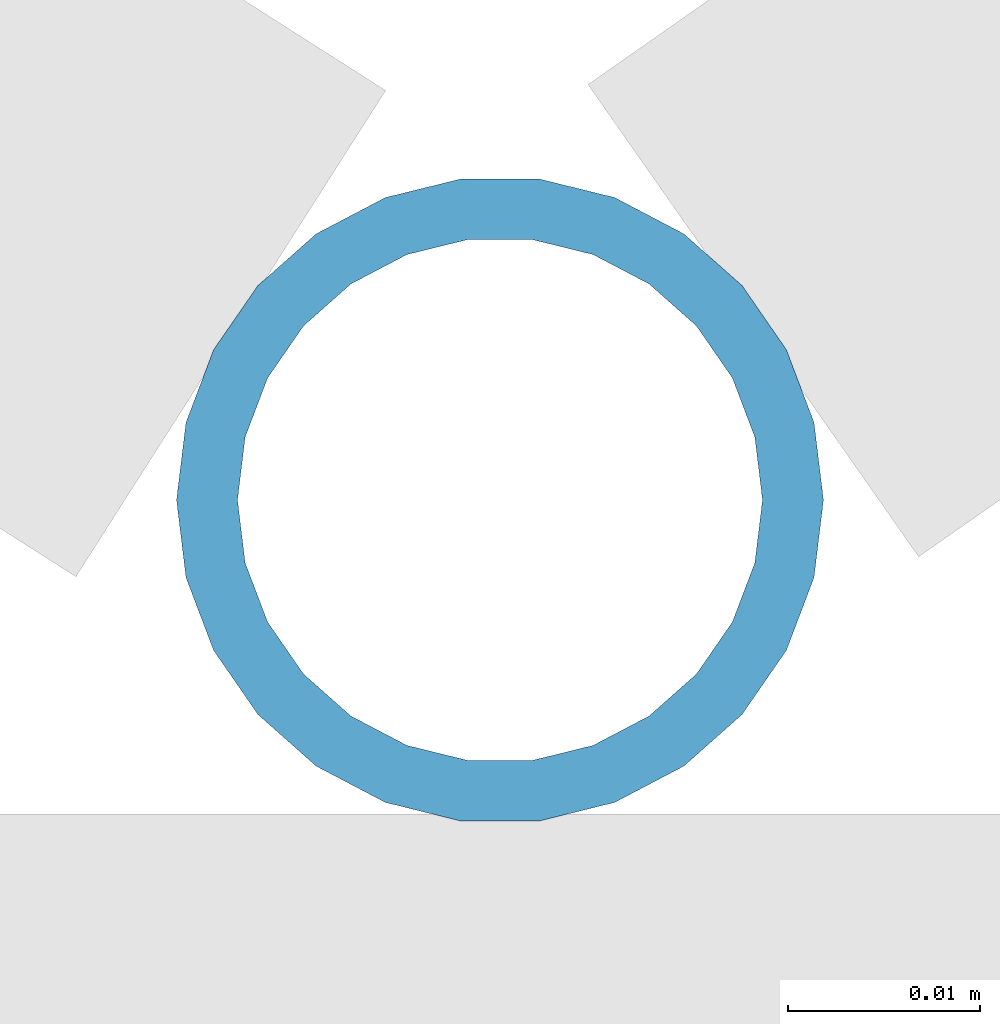
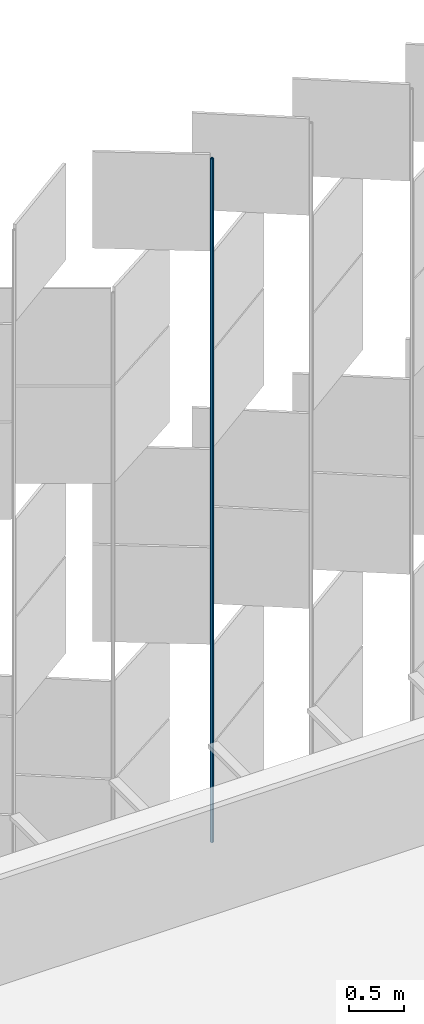
# One storey, part 385 of 483: 1 discrete accessory.
"""IFC4 building model written with IfcOpenShell, lengths in metres."""

from ifc_helpers import new_model, si_unit, direction, frame, origin, origin_2d, place, context, subcontext, project, spatial, hollow_circle, extrude, material, material_profile, profile_set, type_object, element, save


model = new_model("IFC4")

# Units and contexts
model_context = context("Model", 3, precision=1e-05, world=origin(), true_north=direction((0.0, 1.0)))
body_context = subcontext(model_context, "Body", "Model", "MODEL_VIEW")
ifc_project = project(units=[si_unit("LENGTHUNIT", "METRE"), si_unit("AREAUNIT", "SQUARE_METRE"), si_unit("VOLUMEUNIT", "CUBIC_METRE"), si_unit("PLANEANGLEUNIT", "RADIAN"), si_unit("MASSUNIT", "GRAM", prefix="KILO")], contexts=[model_context])

# Site, building, storey
site_placement = place(None, origin())
site = spatial("IfcSite", under=ifc_project, at=site_placement, CompositionType="ELEMENT")
building_placement = place(site_placement, origin())
building = spatial("IfcBuilding", under=site, at=building_placement, Name="Parallax Yard Mobility Hub", CompositionType="ELEMENT")
storey_placement = place(building_placement, frame((0.0, 0.0, 13.199951171875)))
storey = spatial("IfcBuildingStorey", under=building, at=storey_placement, Name="L04", CompositionType="ELEMENT", Elevation=13.199951171875)

# Discrete accessory
ifc_material = material(Name="Steel ASTM A500 Gr C, hot-dip galvanised", Category="steel")
ifc_material_profile = material_profile(ifc_material, hollow_circle(Radius=0.016845703125, WallThickness=0.003173828125, at=origin_2d()), Name="CHS 33.7x3.2")
ifc_profile_set = profile_set([ifc_material_profile], Name="Steel ASTM A500 Gr C, hot-dip galvanised")
discrete_accessory_type = type_object("IfcDiscreteAccessoryType", Name="Hinge post CHS 33.7x3.2", PredefinedType="BRACKET", material=ifc_profile_set)
discrete_accessory_placement = place(storey_placement, frame((170.35888671875, 143.271728515625, 0.0), z_axis=(0.0, 0.0, 1.0), x_axis=(1.0, 0.0, 0.0)))
element("IfcDiscreteAccessory", 1, at=discrete_accessory_placement, inside=storey, type_object=discrete_accessory_type, Name="Hinge post bay 51.3 level L04", PredefinedType="BRACKET", context=body_context, shape_type="SweptSolid", body=[
    extrude(hollow_circle(Radius=0.016845703125, WallThickness=0.003173828125, at=origin_2d()), origin(), (0.0, 0.0, 1.0), 7.650146484375),
])

save(model, "model.ifc")
